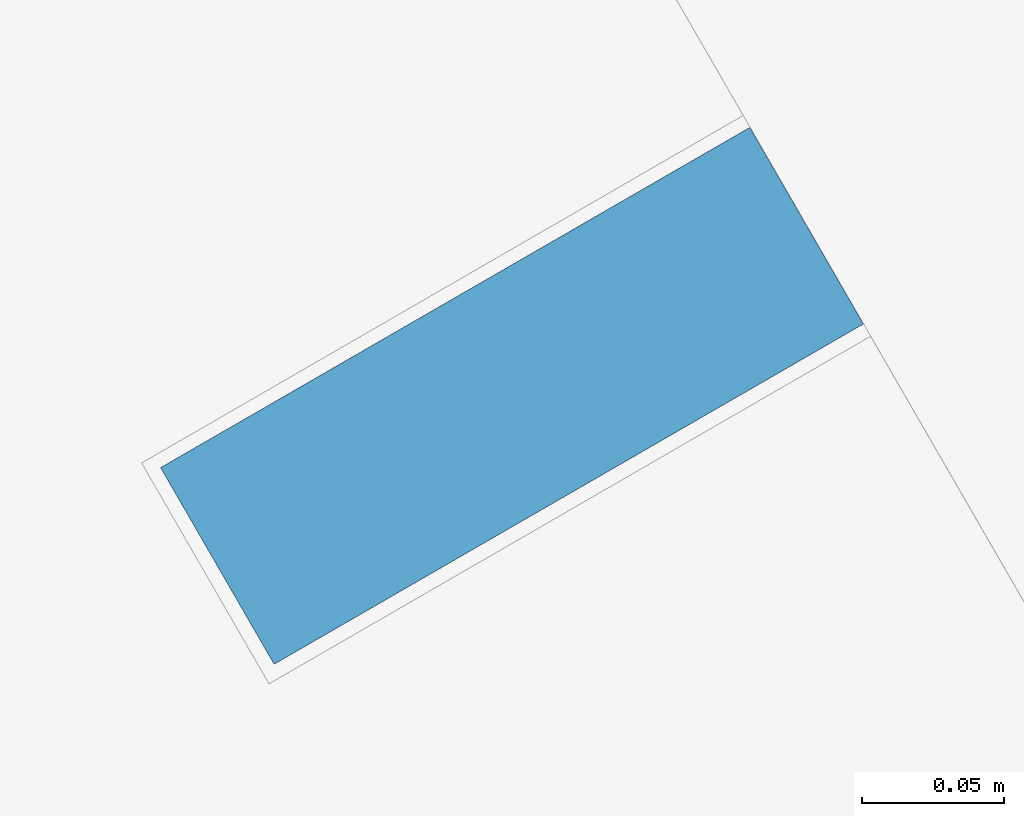
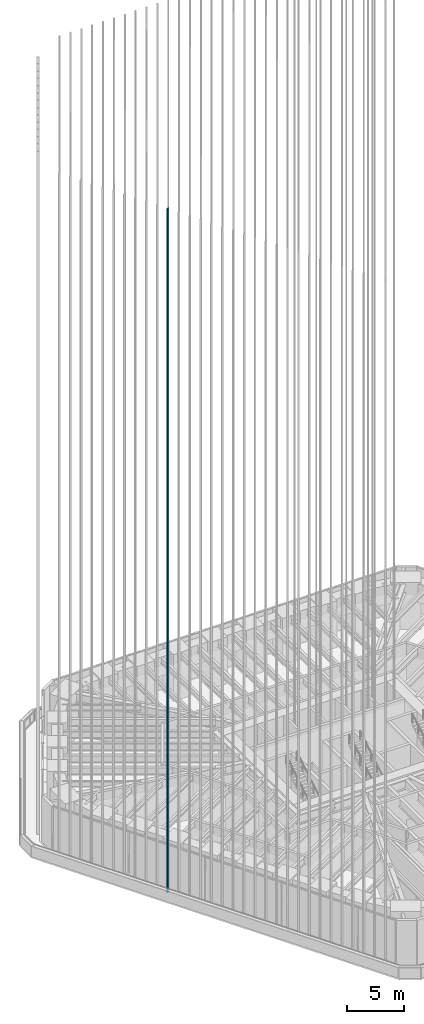
# One storey, part 42 of 228: 1 member, 1 element without a shape of its own.
"""IFC4 building model written with IfcOpenShell, lengths in metres."""

from ifc_helpers import new_model, si_unit, direction, frame, origin, origin_2d, place, context, subcontext, project, spatial, rectangle, extrude, material, material_profile, profile_set, type_object, element, aggregate, save


model = new_model("IFC4")

# Units and contexts
model_context = context("Model", 3, precision=1e-05, world=origin(), true_north=direction((0.0, 1.0)))
body_context = subcontext(model_context, "Body", "Model", "MODEL_VIEW")
ifc_project = project(units=[si_unit("LENGTHUNIT", "METRE"), si_unit("AREAUNIT", "SQUARE_METRE"), si_unit("VOLUMEUNIT", "CUBIC_METRE"), si_unit("PLANEANGLEUNIT", "RADIAN"), si_unit("MASSUNIT", "GRAM", prefix="KILO")], contexts=[model_context])

# Site, building, storey
site_placement = place(None, origin())
site = spatial("IfcSite", under=ifc_project, at=site_placement, CompositionType="ELEMENT")
building_placement = place(site_placement, origin())
building = spatial("IfcBuilding", under=site, at=building_placement, Name="Sandreach Pilgrim Tower", CompositionType="ELEMENT")
storey_placement = place(building_placement, frame((0.0, 0.0, 178.199951171875)))
storey = spatial("IfcBuildingStorey", under=building, at=storey_placement, Name="L44", CompositionType="ELEMENT", Elevation=178.199951171875)

# Curtain wall, member
ifc_material_1 = material(Name="Aluminium framed curtain wall", Category="aluminium")
curtain_wall_type = type_object("IfcCurtainWallType", Name="Upper hotel tower curtain wall", PredefinedType="NOTDEFINED", material=ifc_material_1)
curtain_wall_placement = place(storey_placement, origin())
curtain_wall = element("IfcCurtainWall", 1, at=curtain_wall_placement, inside=storey, type_object=curtain_wall_type, Name="CW-3 L44 SW", PredefinedType="NOTDEFINED")
ifc_material_2 = material(Name="Extruded terracotta on aluminium core", Category="masonry")
ifc_material_profile = material_profile(ifc_material_2, rectangle(XDim=0.080078125, YDim=0.239990234375, at=origin_2d()), Name="TBW 80X240")
ifc_profile_set = profile_set([ifc_material_profile], Name="Extruded terracotta on aluminium core")
member_type = type_object("IfcMemberType", Name="Terracotta baguette west", PredefinedType="USERDEFINED", material=ifc_profile_set)
member_placement = place(storey_placement, frame((-21.444091796875, -6.01806640625, 0.0), z_axis=(0.0, 0.0, 1.0), x_axis=(-0.5, 0.866025403784, 0.0)))
member = element("IfcMember", 2, at=member_placement, type_object=member_type, Name="Baguette Z3 SW21", ObjectType="BAGUETTE", PredefinedType="USERDEFINED", context=body_context, shape_type="SweptSolid", body=[
    extrude(rectangle(XDim=0.080078125, YDim=0.239990234375, at=origin_2d()), origin(), (0.0, 0.0, 1.0), 73.239990234375),
])
aggregate(curtain_wall, [member])

save(model, "model.ifc")
